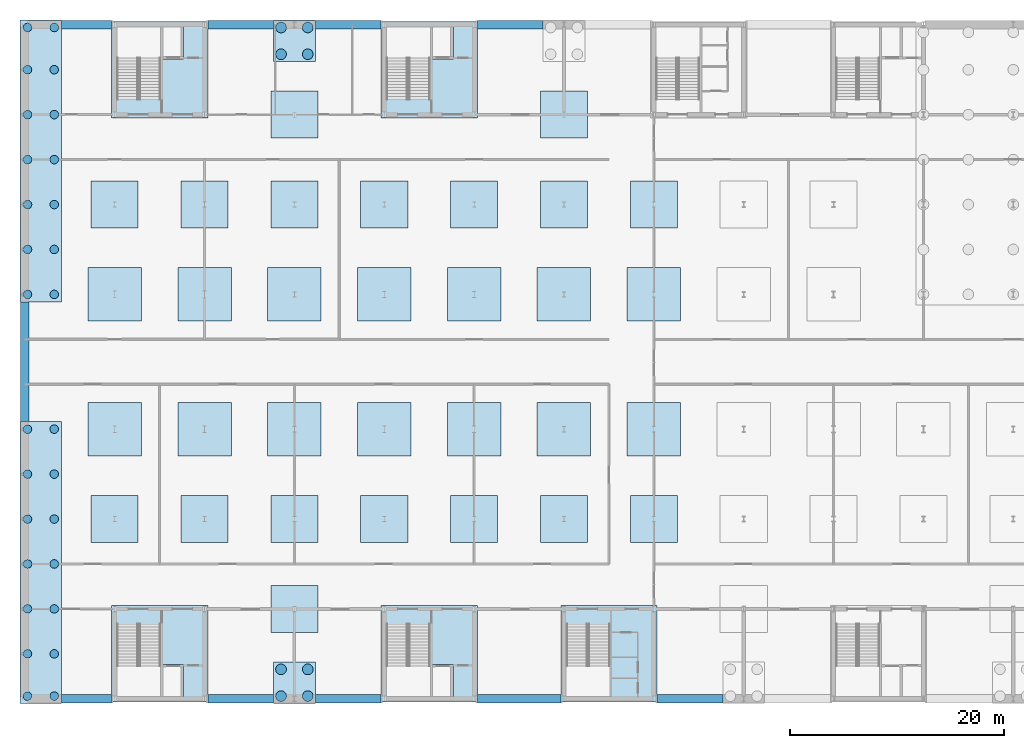
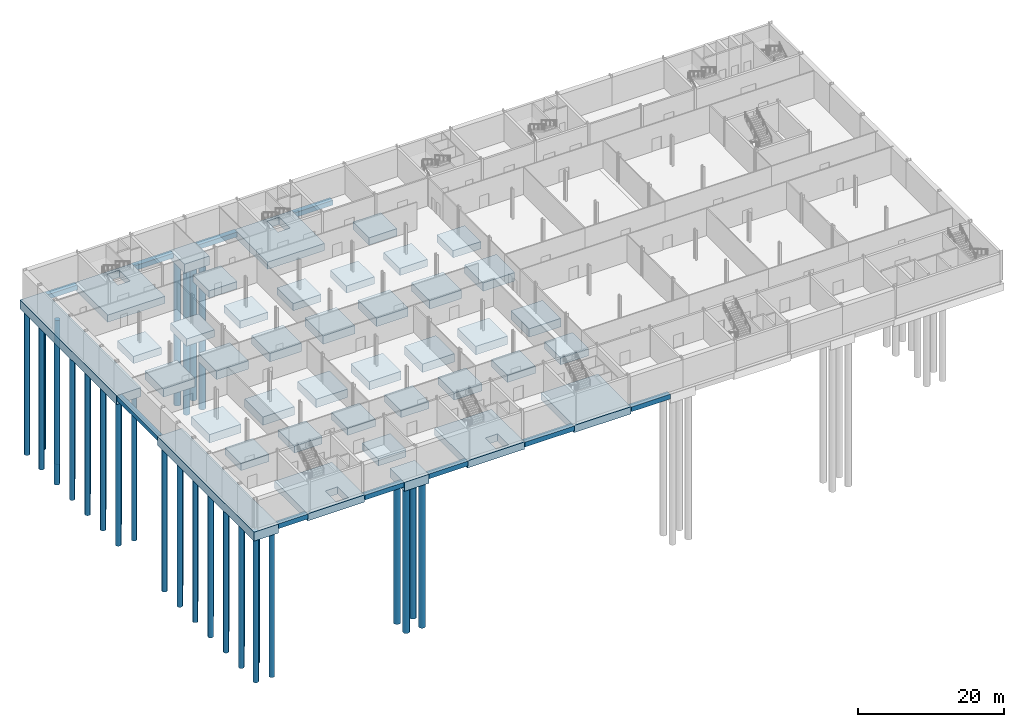
# One storey, part 1 of 22: 50 footings, 36 piles.
"""IFC4 building model written with IfcOpenShell, lengths in metres."""

from ifc_helpers import new_model, si_unit, direction, frame, origin, origin_2d, place, context, subcontext, project, spatial, polyline, circle, outline, extrude, material, layer, layer_set, material_profile, profile_set, type_object, element, save


model = new_model("IFC4")

# Units and contexts
model_context = context("Model", 3, precision=1e-05, world=origin(), true_north=direction((0.0, 1.0)))
body_context = subcontext(model_context, "Body", "Model", "MODEL_VIEW")
ifc_project = project(units=[si_unit("LENGTHUNIT", "METRE"), si_unit("AREAUNIT", "SQUARE_METRE"), si_unit("VOLUMEUNIT", "CUBIC_METRE"), si_unit("PLANEANGLEUNIT", "RADIAN"), si_unit("MASSUNIT", "GRAM", prefix="KILO")], contexts=[model_context])

# Site, building, storey
site_placement = place(None, origin())
site = spatial("IfcSite", under=ifc_project, at=site_placement, CompositionType="ELEMENT")
building_placement = place(site_placement, origin())
building = spatial("IfcBuilding", under=site, at=building_placement, Name="Galleria Vessillo Department Store", CompositionType="ELEMENT")
storey_placement = place(building_placement, frame((0.0, 0.0, -9.89990234375)))
storey = spatial("IfcBuildingStorey", under=building, at=storey_placement, Name="B2", CompositionType="ELEMENT", Elevation=-9.89990234375)

# Piles
ifc_material_1 = material(Name="Concrete C32/40 reinforced", Category="concrete")
ifc_material_profile_1 = material_profile(ifc_material_1, circle(Radius=0.5, at=origin_2d()), Name="Bored pile D1000")
ifc_profile_set_1 = profile_set([ifc_material_profile_1], Name="Concrete C32/40 reinforced")
pile_type_1 = type_object("IfcPileType", Name="Bored pile D1000", PredefinedType="BORED", material=ifc_profile_set_1)
for number, where, z_axis, x_axis, name in (
    (1, (23.949951171875, 0.25, -1.900146484375), (0.0, 0.0, -1.0), (1.0, 0.0, 0.0), "S-PILE-4A-01"),
    (2, (26.449951171875, 0.25, -1.900146484375), (0.0, 0.0, -1.0), (1.0, 0.0, 0.0), "S-PILE-4A-02"),
    (3, (23.949951171875, 2.75, -1.900146484375), (0.0, 0.0, -1.0), (1.0, 0.0, 0.0), "S-PILE-4A-03"),
    (4, (26.449951171875, 2.75, -1.900146484375), (0.0, 0.0, -1.0), (1.0, 0.0, 0.0), "S-PILE-4A-04"),
    (5, (23.949951171875, 60.25, -1.900146484375), (0.0, 0.0, -1.0), (1.0, 0.0, 0.0), "S-PILE-4H-01"),
    (6, (26.449951171875, 60.25, -1.900146484375), (0.0, 0.0, -1.0), (1.0, 0.0, 0.0), "S-PILE-4H-02"),
    (7, (23.949951171875, 62.75, -1.900146484375), (0.0, 0.0, -1.0), (1.0, 0.0, 0.0), "S-PILE-4H-03"),
    (8, (26.449951171875, 62.75, -1.900146484375), (0.0, 0.0, -1.0), (1.0, 0.0, 0.0), "S-PILE-4H-04"),
):
    element("IfcPile", number, at=place(storey_placement, frame(where, z_axis=z_axis, x_axis=x_axis)), inside=storey, type_object=pile_type_1, Name=name, PredefinedType="BORED", context=body_context, shape_type="SweptSolid", body=[
        extrude(circle(Radius=0.5, at=origin_2d()), origin(), (0.0, 0.0, 1.0), 24.0),
    ])
ifc_material_2 = material(Name="Concrete C32/40 reinforced", Category="concrete")
ifc_material_profile_2 = material_profile(ifc_material_2, circle(Radius=0.39990234375, at=origin_2d()), Name="Bored pile D800")
ifc_profile_set_2 = profile_set([ifc_material_profile_2], Name="Concrete C32/40 reinforced")
pile_type_2 = type_object("IfcPileType", Name="Bored pile D800", PredefinedType="BORED", material=ifc_profile_set_2)
for number, where, z_axis, x_axis, name in (
    (9, (0.25, 0.25, -1.900146484375), (0.0, 0.0, -1.0), (1.0, 0.0, 0.0), "S-PILE-STRIP-W1-01"),
    (10, (2.75, 0.25, -1.900146484375), (0.0, 0.0, -1.0), (1.0, 0.0, 0.0), "S-PILE-STRIP-W1-02"),
    (11, (0.25, 4.199951171875, -1.900146484375), (0.0, 0.0, -1.0), (1.0, 0.0, 0.0), "S-PILE-STRIP-W1-03"),
    (12, (2.75, 4.199951171875, -1.900146484375), (0.0, 0.0, -1.0), (1.0, 0.0, 0.0), "S-PILE-STRIP-W1-04"),
    (13, (0.25, 8.39990234375, -1.900146484375), (0.0, 0.0, -1.0), (1.0, 0.0, 0.0), "S-PILE-STRIP-W1-05"),
    (14, (2.75, 8.39990234375, -1.900146484375), (0.0, 0.0, -1.0), (1.0, 0.0, 0.0), "S-PILE-STRIP-W1-06"),
    (15, (0.25, 12.60009765625, -1.900146484375), (0.0, 0.0, -1.0), (1.0, 0.0, 0.0), "S-PILE-STRIP-W1-07"),
    (16, (2.75, 12.60009765625, -1.900146484375), (0.0, 0.0, -1.0), (1.0, 0.0, 0.0), "S-PILE-STRIP-W1-08"),
    (17, (0.25, 16.800048828125, -1.900146484375), (0.0, 0.0, -1.0), (1.0, 0.0, 0.0), "S-PILE-STRIP-W1-09"),
    (18, (2.75, 16.800048828125, -1.900146484375), (0.0, 0.0, -1.0), (1.0, 0.0, 0.0), "S-PILE-STRIP-W1-10"),
    (19, (0.25, 21.0, -1.900146484375), (0.0, 0.0, -1.0), (1.0, 0.0, 0.0), "S-PILE-STRIP-W1-11"),
    (20, (2.75, 21.0, -1.900146484375), (0.0, 0.0, -1.0), (1.0, 0.0, 0.0), "S-PILE-STRIP-W1-12"),
    (21, (0.25, 25.199951171875, -1.900146484375), (0.0, 0.0, -1.0), (1.0, 0.0, 0.0), "S-PILE-STRIP-W1-13"),
    (22, (2.75, 25.199951171875, -1.900146484375), (0.0, 0.0, -1.0), (1.0, 0.0, 0.0), "S-PILE-STRIP-W1-14"),
    (23, (0.25, 37.800048828125, -1.900146484375), (0.0, 0.0, -1.0), (1.0, 0.0, 0.0), "S-PILE-STRIP-W2-01"),
    (24, (2.75, 37.800048828125, -1.900146484375), (0.0, 0.0, -1.0), (1.0, 0.0, 0.0), "S-PILE-STRIP-W2-02"),
    (25, (0.25, 42.0, -1.900146484375), (0.0, 0.0, -1.0), (1.0, 0.0, 0.0), "S-PILE-STRIP-W2-03"),
    (26, (2.75, 42.0, -1.900146484375), (0.0, 0.0, -1.0), (1.0, 0.0, 0.0), "S-PILE-STRIP-W2-04"),
    (27, (0.25, 46.199951171875, -1.900146484375), (0.0, 0.0, -1.0), (1.0, 0.0, 0.0), "S-PILE-STRIP-W2-05"),
    (28, (2.75, 46.199951171875, -1.900146484375), (0.0, 0.0, -1.0), (1.0, 0.0, 0.0), "S-PILE-STRIP-W2-06"),
    (29, (0.25, 50.39990234375, -1.900146484375), (0.0, 0.0, -1.0), (1.0, 0.0, 0.0), "S-PILE-STRIP-W2-07"),
    (30, (2.75, 50.39990234375, -1.900146484375), (0.0, 0.0, -1.0), (1.0, 0.0, 0.0), "S-PILE-STRIP-W2-08"),
    (31, (0.25, 54.60009765625, -1.900146484375), (0.0, 0.0, -1.0), (1.0, 0.0, 0.0), "S-PILE-STRIP-W2-09"),
    (32, (2.75, 54.60009765625, -1.900146484375), (0.0, 0.0, -1.0), (1.0, 0.0, 0.0), "S-PILE-STRIP-W2-10"),
    (33, (0.25, 58.800048828125, -1.900146484375), (0.0, 0.0, -1.0), (1.0, 0.0, 0.0), "S-PILE-STRIP-W2-11"),
    (34, (2.75, 58.800048828125, -1.900146484375), (0.0, 0.0, -1.0), (1.0, 0.0, 0.0), "S-PILE-STRIP-W2-12"),
    (35, (0.25, 62.75, -1.900146484375), (0.0, 0.0, -1.0), (1.0, 0.0, 0.0), "S-PILE-STRIP-W2-13"),
    (36, (2.75, 62.75, -1.900146484375), (0.0, 0.0, -1.0), (1.0, 0.0, 0.0), "S-PILE-STRIP-W2-14"),
):
    element("IfcPile", number, at=place(storey_placement, frame(where, z_axis=z_axis, x_axis=x_axis)), inside=storey, type_object=pile_type_2, Name=name, PredefinedType="BORED", context=body_context, shape_type="SweptSolid", body=[
        extrude(circle(Radius=0.39990234375, at=origin_2d()), origin(), (0.0, 0.0, 1.0), 24.0),
    ])

# Footings
ifc_material_3 = material(Name="Concrete C32/40 reinforced", Category="concrete")
ifc_layer_1 = layer(ifc_material_3, 0.800048828125)
ifc_layer_set_1 = layer_set([ifc_layer_1], Name="Concrete C32/40 reinforced")
footing_type_1 = type_object("IfcFootingType", Name="Ground beam 800 x 800 mm", PredefinedType="FOOTING_BEAM", material=ifc_layer_set_1)
footing_1_placement = place(storey_placement, frame((0.0, 0.0, -1.2001953125)))
element("IfcFooting", 37, at=footing_1_placement, inside=storey, type_object=footing_type_1, Name="S-GB-S-01", PredefinedType="FOOTING_BEAM", context=body_context, shape_type="SweptSolid", body=[
    extrude(outline(polyline([(3.449951171875, -0.39990234375), (8.099853515625, -0.39990234375), (8.099853515625, 0.39990234375), (3.449951171875, 0.39990234375), (3.449951171875, -0.39990234375)])), origin(), (0.0, 0.0, 1.0), 0.800048828125),
])
footing_2_placement = place(storey_placement, frame((0.0, 0.0, -1.2001953125)))
element("IfcFooting", 38, at=footing_2_placement, inside=storey, type_object=footing_type_1, Name="S-GB-S-02", PredefinedType="FOOTING_BEAM", context=body_context, shape_type="SweptSolid", body=[
    extrude(outline(polyline([(17.10009765625, -0.39990234375), (23.25, -0.39990234375), (23.25, 0.39990234375), (17.10009765625, 0.39990234375), (17.10009765625, -0.39990234375)])), origin(), (0.0, 0.0, 1.0), 0.800048828125),
])
footing_3_placement = place(storey_placement, frame((0.0, 0.0, -1.2001953125)))
element("IfcFooting", 39, at=footing_3_placement, inside=storey, type_object=footing_type_1, Name="S-GB-S-03", PredefinedType="FOOTING_BEAM", context=body_context, shape_type="SweptSolid", body=[
    extrude(outline(polyline([(27.14990234375, -0.39990234375), (33.300048828125, -0.39990234375), (33.300048828125, 0.39990234375), (27.14990234375, 0.39990234375), (27.14990234375, -0.39990234375)])), origin(), (0.0, 0.0, 1.0), 0.800048828125),
])
footing_4_placement = place(storey_placement, frame((0.0, 0.0, -1.2001953125)))
element("IfcFooting", 40, at=footing_4_placement, inside=storey, type_object=footing_type_1, Name="S-GB-S-04", PredefinedType="FOOTING_BEAM", context=body_context, shape_type="SweptSolid", body=[
    extrude(outline(polyline([(42.300048828125, -0.39990234375), (50.099853515625, -0.39990234375), (50.099853515625, 0.39990234375), (42.300048828125, 0.39990234375), (42.300048828125, -0.39990234375)])), origin(), (0.0, 0.0, 1.0), 0.800048828125),
])
footing_5_placement = place(storey_placement, frame((0.0, 0.0, -1.2001953125)))
element("IfcFooting", 41, at=footing_5_placement, inside=storey, type_object=footing_type_1, Name="S-GB-S-05", PredefinedType="FOOTING_BEAM", context=body_context, shape_type="SweptSolid", body=[
    extrude(outline(polyline([(59.10009765625, -0.39990234375), (65.25, -0.39990234375), (65.25, 0.39990234375), (59.10009765625, 0.39990234375), (59.10009765625, -0.39990234375)])), origin(), (0.0, 0.0, 1.0), 0.800048828125),
])
footing_6_placement = place(storey_placement, frame((0.0, 0.0, -1.2001953125)))
element("IfcFooting", 42, at=footing_6_placement, inside=storey, type_object=footing_type_1, Name="S-GB-N-01", PredefinedType="FOOTING_BEAM", context=body_context, shape_type="SweptSolid", body=[
    extrude(outline(polyline([(3.449951171875, 62.60009765625), (8.099853515625, 62.60009765625), (8.099853515625, 63.39990234375), (3.449951171875, 63.39990234375), (3.449951171875, 62.60009765625)])), origin(), (0.0, 0.0, 1.0), 0.800048828125),
])
footing_7_placement = place(storey_placement, frame((0.0, 0.0, -1.2001953125)))
element("IfcFooting", 43, at=footing_7_placement, inside=storey, type_object=footing_type_1, Name="S-GB-N-02", PredefinedType="FOOTING_BEAM", context=body_context, shape_type="SweptSolid", body=[
    extrude(outline(polyline([(17.10009765625, 62.60009765625), (23.25, 62.60009765625), (23.25, 63.39990234375), (17.10009765625, 63.39990234375), (17.10009765625, 62.60009765625)])), origin(), (0.0, 0.0, 1.0), 0.800048828125),
])
footing_8_placement = place(storey_placement, frame((0.0, 0.0, -1.2001953125)))
element("IfcFooting", 44, at=footing_8_placement, inside=storey, type_object=footing_type_1, Name="S-GB-N-03", PredefinedType="FOOTING_BEAM", context=body_context, shape_type="SweptSolid", body=[
    extrude(outline(polyline([(27.14990234375, 62.60009765625), (33.300048828125, 62.60009765625), (33.300048828125, 63.39990234375), (27.14990234375, 63.39990234375), (27.14990234375, 62.60009765625)])), origin(), (0.0, 0.0, 1.0), 0.800048828125),
])
footing_9_placement = place(storey_placement, frame((0.0, 0.0, -1.2001953125)))
element("IfcFooting", 45, at=footing_9_placement, inside=storey, type_object=footing_type_1, Name="S-GB-N-04", PredefinedType="FOOTING_BEAM", context=body_context, shape_type="SweptSolid", body=[
    extrude(outline(polyline([(42.300048828125, 62.60009765625), (48.449951171875, 62.60009765625), (48.449951171875, 63.39990234375), (42.300048828125, 63.39990234375), (42.300048828125, 62.60009765625)])), origin(), (0.0, 0.0, 1.0), 0.800048828125),
])
footing_10_placement = place(storey_placement, frame((0.0, 0.0, -1.2001953125)))
element("IfcFooting", 46, at=footing_10_placement, inside=storey, type_object=footing_type_1, Name="S-GB-W-01", PredefinedType="FOOTING_BEAM", context=body_context, shape_type="SweptSolid", body=[
    extrude(outline(polyline([(-0.39990234375, 25.89990234375), (0.39990234375, 25.89990234375), (0.39990234375, 37.10009765625), (-0.39990234375, 37.10009765625), (-0.39990234375, 25.89990234375)])), origin(), (0.0, 0.0, 1.0), 0.800048828125),
])
ifc_material_4 = material(Name="Concrete C32/40 reinforced", Category="concrete")
ifc_layer_2 = layer(ifc_material_4, 1.199951171875)
ifc_layer_set_2 = layer_set([ifc_layer_2], Name="Concrete C32/40 reinforced")
footing_type_2 = type_object("IfcFootingType", Name="Pad footing 4.40 x 4.40 m, 1.2 m thick", PredefinedType="PAD_FOOTING", material=ifc_layer_set_2)
footing_11_placement = place(storey_placement, frame((0.0, 0.0, -1.60009765625)))
element("IfcFooting", 47, at=footing_11_placement, inside=storey, type_object=footing_type_2, Name="S-PAD-2C", PredefinedType="PAD_FOOTING", context=body_context, shape_type="SweptSolid", body=[
    extrude(outline(polyline([(6.199951171875, 14.60009765625), (10.599853515625, 14.60009765625), (10.599853515625, 19.0), (6.199951171875, 19.0), (6.199951171875, 14.60009765625)])), origin(), (0.0, 0.0, 1.0), 1.199951171875),
])
footing_12_placement = place(storey_placement, frame((0.0, 0.0, -1.60009765625)))
element("IfcFooting", 48, at=footing_12_placement, inside=storey, type_object=footing_type_2, Name="S-PAD-2F", PredefinedType="PAD_FOOTING", context=body_context, shape_type="SweptSolid", body=[
    extrude(outline(polyline([(6.199951171875, 44.0), (10.599853515625, 44.0), (10.599853515625, 48.39990234375), (6.199951171875, 48.39990234375), (6.199951171875, 44.0)])), origin(), (0.0, 0.0, 1.0), 1.199951171875),
])
footing_13_placement = place(storey_placement, frame((0.0, 0.0, -1.60009765625)))
element("IfcFooting", 49, at=footing_13_placement, inside=storey, type_object=footing_type_2, Name="S-PAD-3C", PredefinedType="PAD_FOOTING", context=body_context, shape_type="SweptSolid", body=[
    extrude(outline(polyline([(14.60009765625, 14.60009765625), (19.0, 14.60009765625), (19.0, 19.0), (14.60009765625, 19.0), (14.60009765625, 14.60009765625)])), origin(), (0.0, 0.0, 1.0), 1.199951171875),
])
footing_14_placement = place(storey_placement, frame((0.0, 0.0, -1.60009765625)))
element("IfcFooting", 50, at=footing_14_placement, inside=storey, type_object=footing_type_2, Name="S-PAD-3F", PredefinedType="PAD_FOOTING", context=body_context, shape_type="SweptSolid", body=[
    extrude(outline(polyline([(14.60009765625, 44.0), (19.0, 44.0), (19.0, 48.39990234375), (14.60009765625, 48.39990234375), (14.60009765625, 44.0)])), origin(), (0.0, 0.0, 1.0), 1.199951171875),
])
footing_15_placement = place(storey_placement, frame((0.0, 0.0, -1.60009765625)))
element("IfcFooting", 51, at=footing_15_placement, inside=storey, type_object=footing_type_2, Name="S-PAD-4B", PredefinedType="PAD_FOOTING", context=body_context, shape_type="SweptSolid", body=[
    extrude(outline(polyline([(23.0, 6.199951171875), (27.39990234375, 6.199951171875), (27.39990234375, 10.599853515625), (23.0, 10.599853515625), (23.0, 6.199951171875)])), origin(), (0.0, 0.0, 1.0), 1.199951171875),
])
footing_16_placement = place(storey_placement, frame((0.0, 0.0, -1.60009765625)))
element("IfcFooting", 52, at=footing_16_placement, inside=storey, type_object=footing_type_2, Name="S-PAD-4C", PredefinedType="PAD_FOOTING", context=body_context, shape_type="SweptSolid", body=[
    extrude(outline(polyline([(23.0, 14.60009765625), (27.39990234375, 14.60009765625), (27.39990234375, 19.0), (23.0, 19.0), (23.0, 14.60009765625)])), origin(), (0.0, 0.0, 1.0), 1.199951171875),
])
footing_17_placement = place(storey_placement, frame((0.0, 0.0, -1.60009765625)))
element("IfcFooting", 53, at=footing_17_placement, inside=storey, type_object=footing_type_2, Name="S-PAD-4F", PredefinedType="PAD_FOOTING", context=body_context, shape_type="SweptSolid", body=[
    extrude(outline(polyline([(23.0, 44.0), (27.39990234375, 44.0), (27.39990234375, 48.39990234375), (23.0, 48.39990234375), (23.0, 44.0)])), origin(), (0.0, 0.0, 1.0), 1.199951171875),
])
footing_18_placement = place(storey_placement, frame((0.0, 0.0, -1.60009765625)))
element("IfcFooting", 54, at=footing_18_placement, inside=storey, type_object=footing_type_2, Name="S-PAD-4G", PredefinedType="PAD_FOOTING", context=body_context, shape_type="SweptSolid", body=[
    extrude(outline(polyline([(23.0, 52.400146484375), (27.39990234375, 52.400146484375), (27.39990234375, 56.800048828125), (23.0, 56.800048828125), (23.0, 52.400146484375)])), origin(), (0.0, 0.0, 1.0), 1.199951171875),
])
footing_19_placement = place(storey_placement, frame((0.0, 0.0, -1.60009765625)))
element("IfcFooting", 55, at=footing_19_placement, inside=storey, type_object=footing_type_2, Name="S-PAD-5C", PredefinedType="PAD_FOOTING", context=body_context, shape_type="SweptSolid", body=[
    extrude(outline(polyline([(31.400146484375, 14.60009765625), (35.800048828125, 14.60009765625), (35.800048828125, 19.0), (31.400146484375, 19.0), (31.400146484375, 14.60009765625)])), origin(), (0.0, 0.0, 1.0), 1.199951171875),
])
footing_20_placement = place(storey_placement, frame((0.0, 0.0, -1.60009765625)))
element("IfcFooting", 56, at=footing_20_placement, inside=storey, type_object=footing_type_2, Name="S-PAD-5F", PredefinedType="PAD_FOOTING", context=body_context, shape_type="SweptSolid", body=[
    extrude(outline(polyline([(31.400146484375, 44.0), (35.800048828125, 44.0), (35.800048828125, 48.39990234375), (31.400146484375, 48.39990234375), (31.400146484375, 44.0)])), origin(), (0.0, 0.0, 1.0), 1.199951171875),
])
footing_21_placement = place(storey_placement, frame((0.0, 0.0, -1.60009765625)))
element("IfcFooting", 57, at=footing_21_placement, inside=storey, type_object=footing_type_2, Name="S-PAD-6C", PredefinedType="PAD_FOOTING", context=body_context, shape_type="SweptSolid", body=[
    extrude(outline(polyline([(39.800048828125, 14.60009765625), (44.199951171875, 14.60009765625), (44.199951171875, 19.0), (39.800048828125, 19.0), (39.800048828125, 14.60009765625)])), origin(), (0.0, 0.0, 1.0), 1.199951171875),
])
footing_22_placement = place(storey_placement, frame((0.0, 0.0, -1.60009765625)))
element("IfcFooting", 58, at=footing_22_placement, inside=storey, type_object=footing_type_2, Name="S-PAD-6F", PredefinedType="PAD_FOOTING", context=body_context, shape_type="SweptSolid", body=[
    extrude(outline(polyline([(39.800048828125, 44.0), (44.199951171875, 44.0), (44.199951171875, 48.39990234375), (39.800048828125, 48.39990234375), (39.800048828125, 44.0)])), origin(), (0.0, 0.0, 1.0), 1.199951171875),
])
footing_23_placement = place(storey_placement, frame((0.0, 0.0, -1.60009765625)))
element("IfcFooting", 59, at=footing_23_placement, inside=storey, type_object=footing_type_2, Name="S-PAD-7C", PredefinedType="PAD_FOOTING", context=body_context, shape_type="SweptSolid", body=[
    extrude(outline(polyline([(48.199951171875, 14.60009765625), (52.599853515625, 14.60009765625), (52.599853515625, 19.0), (48.199951171875, 19.0), (48.199951171875, 14.60009765625)])), origin(), (0.0, 0.0, 1.0), 1.199951171875),
])
footing_24_placement = place(storey_placement, frame((0.0, 0.0, -1.60009765625)))
element("IfcFooting", 60, at=footing_24_placement, inside=storey, type_object=footing_type_2, Name="S-PAD-7F", PredefinedType="PAD_FOOTING", context=body_context, shape_type="SweptSolid", body=[
    extrude(outline(polyline([(48.199951171875, 44.0), (52.599853515625, 44.0), (52.599853515625, 48.39990234375), (48.199951171875, 48.39990234375), (48.199951171875, 44.0)])), origin(), (0.0, 0.0, 1.0), 1.199951171875),
])
footing_25_placement = place(storey_placement, frame((0.0, 0.0, -1.60009765625)))
element("IfcFooting", 61, at=footing_25_placement, inside=storey, type_object=footing_type_2, Name="S-PAD-7G", PredefinedType="PAD_FOOTING", context=body_context, shape_type="SweptSolid", body=[
    extrude(outline(polyline([(48.199951171875, 52.400146484375), (52.599853515625, 52.400146484375), (52.599853515625, 56.800048828125), (48.199951171875, 56.800048828125), (48.199951171875, 52.400146484375)])), origin(), (0.0, 0.0, 1.0), 1.199951171875),
])
footing_26_placement = place(storey_placement, frame((0.0, 0.0, -1.60009765625)))
element("IfcFooting", 62, at=footing_26_placement, inside=storey, type_object=footing_type_2, Name="S-PAD-8C", PredefinedType="PAD_FOOTING", context=body_context, shape_type="SweptSolid", body=[
    extrude(outline(polyline([(56.60009765625, 14.60009765625), (61.0, 14.60009765625), (61.0, 19.0), (56.60009765625, 19.0), (56.60009765625, 14.60009765625)])), origin(), (0.0, 0.0, 1.0), 1.199951171875),
])
footing_27_placement = place(storey_placement, frame((0.0, 0.0, -1.60009765625)))
element("IfcFooting", 63, at=footing_27_placement, inside=storey, type_object=footing_type_2, Name="S-PAD-8F", PredefinedType="PAD_FOOTING", context=body_context, shape_type="SweptSolid", body=[
    extrude(outline(polyline([(56.60009765625, 44.0), (61.0, 44.0), (61.0, 48.39990234375), (56.60009765625, 48.39990234375), (56.60009765625, 44.0)])), origin(), (0.0, 0.0, 1.0), 1.199951171875),
])
ifc_material_5 = material(Name="Concrete C32/40 reinforced", Category="concrete")
ifc_layer_3 = layer(ifc_material_5, 1.39990234375)
ifc_layer_set_3 = layer_set([ifc_layer_3], Name="Concrete C32/40 reinforced")
footing_type_3 = type_object("IfcFootingType", Name="Pad footing 5 x 5 m, 1.4 m thick", PredefinedType="PAD_FOOTING", material=ifc_layer_set_3)
footing_28_placement = place(storey_placement, frame((0.0, 0.0, -1.800048828125)))
element("IfcFooting", 64, at=footing_28_placement, inside=storey, type_object=footing_type_3, Name="S-PAD-2D", PredefinedType="PAD_FOOTING", context=body_context, shape_type="SweptSolid", body=[
    extrude(outline(polyline([(5.89990234375, 22.699951171875), (10.89990234375, 22.699951171875), (10.89990234375, 27.699951171875), (5.89990234375, 27.699951171875), (5.89990234375, 22.699951171875)])), origin(), (0.0, 0.0, 1.0), 1.39990234375),
])
footing_29_placement = place(storey_placement, frame((0.0, 0.0, -1.800048828125)))
element("IfcFooting", 65, at=footing_29_placement, inside=storey, type_object=footing_type_3, Name="S-PAD-2E", PredefinedType="PAD_FOOTING", context=body_context, shape_type="SweptSolid", body=[
    extrude(outline(polyline([(5.89990234375, 35.300048828125), (10.89990234375, 35.300048828125), (10.89990234375, 40.300048828125), (5.89990234375, 40.300048828125), (5.89990234375, 35.300048828125)])), origin(), (0.0, 0.0, 1.0), 1.39990234375),
])
footing_30_placement = place(storey_placement, frame((0.0, 0.0, -1.800048828125)))
element("IfcFooting", 66, at=footing_30_placement, inside=storey, type_object=footing_type_3, Name="S-PAD-3D", PredefinedType="PAD_FOOTING", context=body_context, shape_type="SweptSolid", body=[
    extrude(outline(polyline([(14.300048828125, 22.699951171875), (19.300048828125, 22.699951171875), (19.300048828125, 27.699951171875), (14.300048828125, 27.699951171875), (14.300048828125, 22.699951171875)])), origin(), (0.0, 0.0, 1.0), 1.39990234375),
])
footing_31_placement = place(storey_placement, frame((0.0, 0.0, -1.800048828125)))
element("IfcFooting", 67, at=footing_31_placement, inside=storey, type_object=footing_type_3, Name="S-PAD-3E", PredefinedType="PAD_FOOTING", context=body_context, shape_type="SweptSolid", body=[
    extrude(outline(polyline([(14.300048828125, 35.300048828125), (19.300048828125, 35.300048828125), (19.300048828125, 40.300048828125), (14.300048828125, 40.300048828125), (14.300048828125, 35.300048828125)])), origin(), (0.0, 0.0, 1.0), 1.39990234375),
])
footing_32_placement = place(storey_placement, frame((0.0, 0.0, -1.800048828125)))
element("IfcFooting", 68, at=footing_32_placement, inside=storey, type_object=footing_type_3, Name="S-PAD-4D", PredefinedType="PAD_FOOTING", context=body_context, shape_type="SweptSolid", body=[
    extrude(outline(polyline([(22.699951171875, 22.699951171875), (27.699951171875, 22.699951171875), (27.699951171875, 27.699951171875), (22.699951171875, 27.699951171875), (22.699951171875, 22.699951171875)])), origin(), (0.0, 0.0, 1.0), 1.39990234375),
])
footing_33_placement = place(storey_placement, frame((0.0, 0.0, -1.800048828125)))
element("IfcFooting", 69, at=footing_33_placement, inside=storey, type_object=footing_type_3, Name="S-PAD-4E", PredefinedType="PAD_FOOTING", context=body_context, shape_type="SweptSolid", body=[
    extrude(outline(polyline([(22.699951171875, 35.300048828125), (27.699951171875, 35.300048828125), (27.699951171875, 40.300048828125), (22.699951171875, 40.300048828125), (22.699951171875, 35.300048828125)])), origin(), (0.0, 0.0, 1.0), 1.39990234375),
])
footing_34_placement = place(storey_placement, frame((0.0, 0.0, -1.800048828125)))
element("IfcFooting", 70, at=footing_34_placement, inside=storey, type_object=footing_type_3, Name="S-PAD-5D", PredefinedType="PAD_FOOTING", context=body_context, shape_type="SweptSolid", body=[
    extrude(outline(polyline([(31.10009765625, 22.699951171875), (36.10009765625, 22.699951171875), (36.10009765625, 27.699951171875), (31.10009765625, 27.699951171875), (31.10009765625, 22.699951171875)])), origin(), (0.0, 0.0, 1.0), 1.39990234375),
])
footing_35_placement = place(storey_placement, frame((0.0, 0.0, -1.800048828125)))
element("IfcFooting", 71, at=footing_35_placement, inside=storey, type_object=footing_type_3, Name="S-PAD-5E", PredefinedType="PAD_FOOTING", context=body_context, shape_type="SweptSolid", body=[
    extrude(outline(polyline([(31.10009765625, 35.300048828125), (36.10009765625, 35.300048828125), (36.10009765625, 40.300048828125), (31.10009765625, 40.300048828125), (31.10009765625, 35.300048828125)])), origin(), (0.0, 0.0, 1.0), 1.39990234375),
])
footing_36_placement = place(storey_placement, frame((0.0, 0.0, -1.800048828125)))
element("IfcFooting", 72, at=footing_36_placement, inside=storey, type_object=footing_type_3, Name="S-PAD-6D", PredefinedType="PAD_FOOTING", context=body_context, shape_type="SweptSolid", body=[
    extrude(outline(polyline([(39.5, 22.699951171875), (44.5, 22.699951171875), (44.5, 27.699951171875), (39.5, 27.699951171875), (39.5, 22.699951171875)])), origin(), (0.0, 0.0, 1.0), 1.39990234375),
])
footing_37_placement = place(storey_placement, frame((0.0, 0.0, -1.800048828125)))
element("IfcFooting", 73, at=footing_37_placement, inside=storey, type_object=footing_type_3, Name="S-PAD-6E", PredefinedType="PAD_FOOTING", context=body_context, shape_type="SweptSolid", body=[
    extrude(outline(polyline([(39.5, 35.300048828125), (44.5, 35.300048828125), (44.5, 40.300048828125), (39.5, 40.300048828125), (39.5, 35.300048828125)])), origin(), (0.0, 0.0, 1.0), 1.39990234375),
])
footing_38_placement = place(storey_placement, frame((0.0, 0.0, -1.800048828125)))
element("IfcFooting", 74, at=footing_38_placement, inside=storey, type_object=footing_type_3, Name="S-PAD-7D", PredefinedType="PAD_FOOTING", context=body_context, shape_type="SweptSolid", body=[
    extrude(outline(polyline([(47.89990234375, 22.699951171875), (52.89990234375, 22.699951171875), (52.89990234375, 27.699951171875), (47.89990234375, 27.699951171875), (47.89990234375, 22.699951171875)])), origin(), (0.0, 0.0, 1.0), 1.39990234375),
])
footing_39_placement = place(storey_placement, frame((0.0, 0.0, -1.800048828125)))
element("IfcFooting", 75, at=footing_39_placement, inside=storey, type_object=footing_type_3, Name="S-PAD-7E", PredefinedType="PAD_FOOTING", context=body_context, shape_type="SweptSolid", body=[
    extrude(outline(polyline([(47.89990234375, 35.300048828125), (52.89990234375, 35.300048828125), (52.89990234375, 40.300048828125), (47.89990234375, 40.300048828125), (47.89990234375, 35.300048828125)])), origin(), (0.0, 0.0, 1.0), 1.39990234375),
])
footing_40_placement = place(storey_placement, frame((0.0, 0.0, -1.800048828125)))
element("IfcFooting", 76, at=footing_40_placement, inside=storey, type_object=footing_type_3, Name="S-PAD-8D", PredefinedType="PAD_FOOTING", context=body_context, shape_type="SweptSolid", body=[
    extrude(outline(polyline([(56.300048828125, 22.699951171875), (61.300048828125, 22.699951171875), (61.300048828125, 27.699951171875), (56.300048828125, 27.699951171875), (56.300048828125, 22.699951171875)])), origin(), (0.0, 0.0, 1.0), 1.39990234375),
])
footing_41_placement = place(storey_placement, frame((0.0, 0.0, -1.800048828125)))
element("IfcFooting", 77, at=footing_41_placement, inside=storey, type_object=footing_type_3, Name="S-PAD-8E", PredefinedType="PAD_FOOTING", context=body_context, shape_type="SweptSolid", body=[
    extrude(outline(polyline([(56.300048828125, 35.300048828125), (61.300048828125, 35.300048828125), (61.300048828125, 40.300048828125), (56.300048828125, 40.300048828125), (56.300048828125, 35.300048828125)])), origin(), (0.0, 0.0, 1.0), 1.39990234375),
])
ifc_material_6 = material(Name="Concrete C32/40 reinforced", Category="concrete")
ifc_layer_4 = layer(ifc_material_6, 1.199951171875)
ifc_layer_set_4 = layer_set([ifc_layer_4], Name="Concrete C32/40 reinforced")
footing_type_4 = type_object("IfcFootingType", Name="Pad footing 9 x 9 m, 1.2 m thick", PredefinedType="PAD_FOOTING", material=ifc_layer_set_4)
footing_42_placement = place(storey_placement, frame((0.0, 0.0, -1.60009765625)))
element("IfcFooting", 78, at=footing_42_placement, inside=storey, type_object=footing_type_4, Name="S-PAD-PC-SM", PredefinedType="PAD_FOOTING", context=body_context, shape_type="SweptSolid", body=[
    extrude(outline(polyline([(33.300048828125, -0.300048828125), (42.300048828125, -0.300048828125), (42.300048828125, 8.699951171875), (33.300048828125, 8.699951171875), (33.300048828125, -0.300048828125)]), holes=[polyline([(38.10009765625, 0.199951171875), (40.050048828125, 0.199951171875), (40.050048828125, 3.199951171875), (38.10009765625, 3.199951171875), (38.10009765625, 0.199951171875)])]), origin(), (0.0, 0.0, 1.0), 1.199951171875),
])
footing_43_placement = place(storey_placement, frame((0.0, 0.0, -1.60009765625)))
element("IfcFooting", 79, at=footing_43_placement, inside=storey, type_object=footing_type_4, Name="S-PAD-PC-NM", PredefinedType="PAD_FOOTING", context=body_context, shape_type="SweptSolid", body=[
    extrude(outline(polyline([(33.300048828125, 54.300048828125), (42.300048828125, 54.300048828125), (42.300048828125, 63.300048828125), (33.300048828125, 63.300048828125), (33.300048828125, 54.300048828125)]), holes=[polyline([(38.10009765625, 59.800048828125), (40.050048828125, 59.800048828125), (40.050048828125, 62.800048828125), (38.10009765625, 62.800048828125), (38.10009765625, 59.800048828125)])]), origin(), (0.0, 0.0, 1.0), 1.199951171875),
])
ifc_material_7 = material(Name="Concrete C32/40 reinforced", Category="concrete")
ifc_layer_5 = layer(ifc_material_7, 1.199951171875)
ifc_layer_set_5 = layer_set([ifc_layer_5], Name="Concrete C32/40 reinforced")
footing_type_5 = type_object("IfcFootingType", Name="Pad footing 9.00 x 9 m, 1.2 m thick", PredefinedType="PAD_FOOTING", material=ifc_layer_set_5)
footing_44_placement = place(storey_placement, frame((0.0, 0.0, -1.60009765625)))
element("IfcFooting", 80, at=footing_44_placement, inside=storey, type_object=footing_type_5, Name="S-PAD-PC-SW", PredefinedType="PAD_FOOTING", context=body_context, shape_type="SweptSolid", body=[
    extrude(outline(polyline([(8.099853515625, -0.300048828125), (17.10009765625, -0.300048828125), (17.10009765625, 8.699951171875), (8.099853515625, 8.699951171875), (8.099853515625, -0.300048828125)]), holes=[polyline([(12.89990234375, 0.199951171875), (14.85009765625, 0.199951171875), (14.85009765625, 3.199951171875), (12.89990234375, 3.199951171875), (12.89990234375, 0.199951171875)])]), origin(), (0.0, 0.0, 1.0), 1.199951171875),
])
footing_45_placement = place(storey_placement, frame((0.0, 0.0, -1.60009765625)))
element("IfcFooting", 81, at=footing_45_placement, inside=storey, type_object=footing_type_5, Name="S-PAD-PC-NW", PredefinedType="PAD_FOOTING", context=body_context, shape_type="SweptSolid", body=[
    extrude(outline(polyline([(8.099853515625, 54.300048828125), (17.10009765625, 54.300048828125), (17.10009765625, 63.300048828125), (8.099853515625, 63.300048828125), (8.099853515625, 54.300048828125)]), holes=[polyline([(12.89990234375, 59.800048828125), (14.85009765625, 59.800048828125), (14.85009765625, 62.800048828125), (12.89990234375, 62.800048828125), (12.89990234375, 59.800048828125)])]), origin(), (0.0, 0.0, 1.0), 1.199951171875),
])
footing_46_placement = place(storey_placement, frame((0.0, 0.0, -1.60009765625)))
element("IfcFooting", 82, at=footing_46_placement, inside=storey, type_object=footing_type_5, Name="S-PAD-PC-SC", PredefinedType="PAD_FOOTING", context=body_context, shape_type="SweptSolid", body=[
    extrude(outline(polyline([(50.099853515625, -0.300048828125), (59.10009765625, -0.300048828125), (59.10009765625, 8.699951171875), (50.099853515625, 8.699951171875), (50.099853515625, -0.300048828125)])), origin(), (0.0, 0.0, 1.0), 1.199951171875),
])
ifc_material_8 = material(Name="Concrete C32/40 reinforced", Category="concrete")
ifc_layer_6 = layer(ifc_material_8, 1.5)
ifc_layer_set_6 = layer_set([ifc_layer_6], Name="Concrete C32/40 reinforced")
footing_type_6 = type_object("IfcFootingType", Name="Pile cap 3.90 x 26.35 m, 14 piles, 1.5 m thick", PredefinedType="PILE_CAP", material=ifc_layer_set_6)
footing_47_placement = place(storey_placement, frame((0.0, 0.0, -1.900146484375)))
element("IfcFooting", 83, at=footing_47_placement, inside=storey, type_object=footing_type_6, Name="S-CAP-STRIP-W1", PredefinedType="PILE_CAP", context=body_context, shape_type="SweptSolid", body=[
    extrude(outline(polyline([(-0.449951171875, -0.449951171875), (3.449951171875, -0.449951171875), (3.449951171875, 25.89990234375), (-0.449951171875, 25.89990234375), (-0.449951171875, -0.449951171875)])), origin(), (0.0, 0.0, 1.0), 1.5),
])
footing_48_placement = place(storey_placement, frame((0.0, 0.0, -1.900146484375)))
element("IfcFooting", 84, at=footing_48_placement, inside=storey, type_object=footing_type_6, Name="S-CAP-STRIP-W2", PredefinedType="PILE_CAP", context=body_context, shape_type="SweptSolid", body=[
    extrude(outline(polyline([(-0.449951171875, 37.10009765625), (3.449951171875, 37.10009765625), (3.449951171875, 63.449951171875), (-0.449951171875, 63.449951171875), (-0.449951171875, 37.10009765625)])), origin(), (0.0, 0.0, 1.0), 1.5),
])
ifc_material_9 = material(Name="Concrete C32/40 reinforced", Category="concrete")
ifc_layer_7 = layer(ifc_material_9, 1.5)
ifc_layer_set_7 = layer_set([ifc_layer_7], Name="Concrete C32/40 reinforced")
footing_type_7 = type_object("IfcFootingType", Name="Pile cap 3.90 x 3.90 m, four piles, 1.5 m thick", PredefinedType="PILE_CAP", material=ifc_layer_set_7)
footing_49_placement = place(storey_placement, frame((0.0, 0.0, -1.900146484375)))
element("IfcFooting", 85, at=footing_49_placement, inside=storey, type_object=footing_type_7, Name="S-CAP-4A", PredefinedType="PILE_CAP", context=body_context, shape_type="SweptSolid", body=[
    extrude(outline(polyline([(23.25, -0.449951171875), (27.14990234375, -0.449951171875), (27.14990234375, 3.449951171875), (23.25, 3.449951171875), (23.25, -0.449951171875)])), origin(), (0.0, 0.0, 1.0), 1.5),
])
footing_50_placement = place(storey_placement, frame((0.0, 0.0, -1.900146484375)))
element("IfcFooting", 86, at=footing_50_placement, inside=storey, type_object=footing_type_7, Name="S-CAP-4H", PredefinedType="PILE_CAP", context=body_context, shape_type="SweptSolid", body=[
    extrude(outline(polyline([(23.25, 59.550048828125), (27.14990234375, 59.550048828125), (27.14990234375, 63.449951171875), (23.25, 63.449951171875), (23.25, 59.550048828125)])), origin(), (0.0, 0.0, 1.0), 1.5),
])

save(model, "model.ifc")
